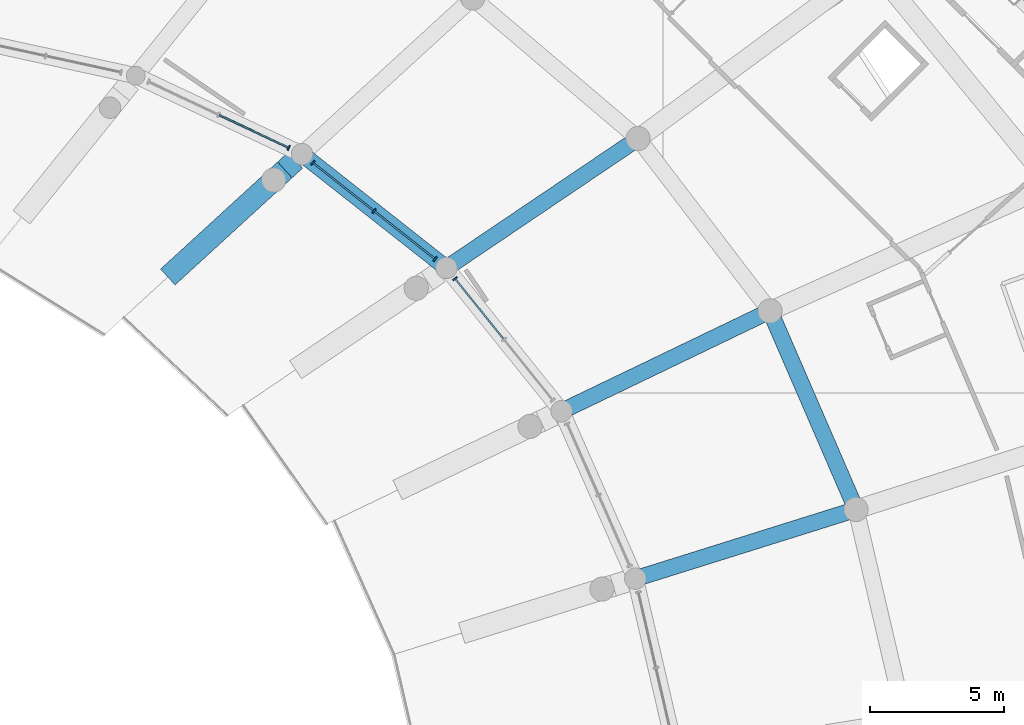
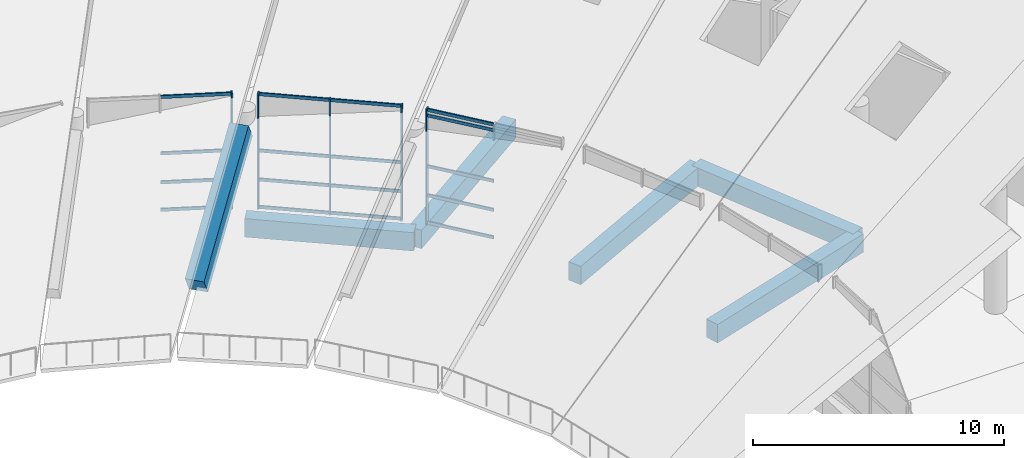
# One storey, part 79 of 249: 22 members, 6 beams, 3 elements without a shape of their own.
"""IFC4 building model written with IfcOpenShell, lengths in metres."""

from ifc_helpers import new_model, si_unit, direction, frame, origin, origin_2d, place, context, subcontext, project, spatial, rectangle, extrude, material, layer, layer_set, material_profile, profile_set, type_object, element, aggregate, save


model = new_model("IFC4")

# Units and contexts
model_context = context("Model", 3, precision=1e-05, world=origin(), true_north=direction((0.0, 1.0)))
body_context = subcontext(model_context, "Body", "Model", "MODEL_VIEW")
ifc_project = project(units=[si_unit("LENGTHUNIT", "METRE"), si_unit("AREAUNIT", "SQUARE_METRE"), si_unit("VOLUMEUNIT", "CUBIC_METRE"), si_unit("PLANEANGLEUNIT", "RADIAN"), si_unit("MASSUNIT", "GRAM", prefix="KILO")], contexts=[model_context])

# Site, building, storey
site_placement = place(None, origin())
site = spatial("IfcSite", under=ifc_project, at=site_placement, CompositionType="ELEMENT")
building_placement = place(site_placement, origin())
building = spatial("IfcBuilding", under=site, at=building_placement, Name="Meseta Stadium", CompositionType="ELEMENT")
storey_placement = place(building_placement, frame((0.0, 0.0, 12.0)))
storey = spatial("IfcBuildingStorey", under=building, at=storey_placement, Name="L02", CompositionType="ELEMENT", Elevation=12.0)

# Curtain wall, member
ifc_material_1 = material(Name="Aluminium", Category="aluminium")
ifc_layer = layer(ifc_material_1, 0.199951171875)
ifc_layer_set = layer_set([ifc_layer], Name="Suite glazing curtain wall")
curtain_wall_type = type_object("IfcCurtainWallType", Name="Suite glazing curtain wall", PredefinedType="NOTDEFINED", material=ifc_layer_set)
curtain_wall_1_placement = place(storey_placement, origin())
curtain_wall_1 = element("IfcCurtainWall", 1, at=curtain_wall_1_placement, inside=storey, type_object=curtain_wall_type, Name="Suite glazing bay 11", PredefinedType="NOTDEFINED")
ifc_material_2 = material(Name="Aluminium", Category="aluminium")
ifc_material_profile_1 = material_profile(ifc_material_2, rectangle(XDim=0.199951171875, YDim=0.06005859375, at=origin_2d()), Name="CW 200x60")
ifc_profile_set_1 = profile_set([ifc_material_profile_1], Name="Aluminium")
member_type_1 = type_object("IfcMemberType", Name="CW mullion 60x200", PredefinedType="MULLION", material=ifc_profile_set_1)
member_1_placement = place(storey_placement, frame((56.26025390625, 68.260009765625, 0.0), z_axis=(0.0, 0.0, 1.0), x_axis=(-0.779453526357, -0.626460054791, 0.0)))
member_1 = element("IfcMember", 2, at=member_1_placement, type_object=member_type_1, Name="CWS mullion 3", PredefinedType="MULLION", context=body_context, shape_type="SweptSolid", body=[
    extrude(rectangle(XDim=0.199951171875, YDim=0.06005859375, at=origin_2d()), origin(), (0.0, 0.0, 1.0), 5.64990234375),
])

# Curtain wall, members
curtain_wall_2_placement = place(storey_placement, origin())
curtain_wall_2 = element("IfcCurtainWall", 3, at=curtain_wall_2_placement, inside=storey, type_object=curtain_wall_type, Name="Suite glazing bay 12", PredefinedType="NOTDEFINED")
member_2_placement = place(storey_placement, frame((55.521728515625, 68.98779296875, 0.0), z_axis=(0.0, 0.0, 1.0), x_axis=(-0.61894425509, -0.785434917158, 0.0)))
member_2 = element("IfcMember", 4, at=member_2_placement, type_object=member_type_1, Name="CWS mullion 1", PredefinedType="MULLION", context=body_context, shape_type="SweptSolid", body=[
    extrude(rectangle(XDim=0.199951171875, YDim=0.06005859375, at=origin_2d()), origin(), (0.0, 0.0, 1.0), 5.64990234375),
])
member_3_placement = place(storey_placement, frame((53.2490234375, 70.77880859375, 0.0), z_axis=(0.0, 0.0, 1.0), x_axis=(-0.61894425509, -0.785434917158, 0.0)))
member_3 = element("IfcMember", 5, at=member_3_placement, type_object=member_type_1, Name="CWS mullion 2", PredefinedType="MULLION", context=body_context, shape_type="SweptSolid", body=[
    extrude(rectangle(XDim=0.199951171875, YDim=0.06005859375, at=origin_2d()), origin(), (0.0, 0.0, 1.0), 5.64990234375),
])
member_4_placement = place(storey_placement, frame((50.976318359375, 72.56982421875, 0.0), z_axis=(0.0, 0.0, 1.0), x_axis=(-0.61894425509, -0.785434917158, 0.0)))
member_4 = element("IfcMember", 6, at=member_4_placement, type_object=member_type_1, Name="CWS mullion 3", PredefinedType="MULLION", context=body_context, shape_type="SweptSolid", body=[
    extrude(rectangle(XDim=0.199951171875, YDim=0.06005859375, at=origin_2d()), origin(), (0.0, 0.0, 1.0), 5.64990234375),
])

# Curtain wall, member
curtain_wall_3_placement = place(storey_placement, origin())
curtain_wall_3 = element("IfcCurtainWall", 7, at=curtain_wall_3_placement, inside=storey, type_object=curtain_wall_type, Name="Suite glazing bay 13", PredefinedType="NOTDEFINED")
member_5_placement = place(storey_placement, frame((50.076416015625, 73.12255859375, 0.0), z_axis=(0.0, 0.0, 1.0), x_axis=(-0.426837356076, -0.904328409074, 0.0)))
member_5 = element("IfcMember", 8, at=member_5_placement, type_object=member_type_1, Name="CWS mullion 1", PredefinedType="MULLION", context=body_context, shape_type="SweptSolid", body=[
    extrude(rectangle(XDim=0.199951171875, YDim=0.06005859375, at=origin_2d()), origin(), (0.0, 0.0, 1.0), 5.64990234375),
])

# Member
ifc_material_3 = material(Name="Aluminium", Category="aluminium")
ifc_material_profile_2 = material_profile(ifc_material_3, rectangle(XDim=0.06005859375, YDim=0.14990234375, at=origin_2d()), Name="CW 60x150")
ifc_profile_set_2 = profile_set([ifc_material_profile_2], Name="Aluminium")
member_type_2 = type_object("IfcMemberType", Name="CW transom 60x150", PredefinedType="USERDEFINED", material=ifc_profile_set_2)
member_6_placement = place(storey_placement, frame((58.058837890625, 66.02197265625, 0.074951171875), z_axis=(-0.626391108316, 0.779508934793, 0.0), x_axis=(-0.779508934793, -0.626391108316, 0.0)))
member_6 = element("IfcMember", 9, at=member_6_placement, type_object=member_type_2, Name="CWS transom 2.1", ObjectType="TRANSOM", PredefinedType="USERDEFINED", context=body_context, shape_type="SweptSolid", body=[
    extrude(rectangle(XDim=0.06005859375, YDim=0.14990234375, at=origin_2d()), origin(), (0.0, 0.0, 1.0), 2.84130859375),
])

member_7_placement = place(storey_placement, frame((58.058837890625, 66.02197265625, 1.41259765625), z_axis=(-0.626391108316, 0.779508934793, 0.0), x_axis=(-0.779508934793, -0.626391108316, 0.0)))
member_7 = element("IfcMember", 10, at=member_7_placement, type_object=member_type_2, Name="CWS transom 2.2", ObjectType="TRANSOM", PredefinedType="USERDEFINED", context=body_context, shape_type="SweptSolid", body=[
    extrude(rectangle(XDim=0.06005859375, YDim=0.14990234375, at=origin_2d()), origin(), (0.0, 0.0, 1.0), 2.84130859375),
])

member_8_placement = place(storey_placement, frame((58.058837890625, 66.02197265625, 2.824951171875), z_axis=(-0.626391108316, 0.779508934793, 0.0), x_axis=(-0.779508934793, -0.626391108316, 0.0)))
member_8 = element("IfcMember", 11, at=member_8_placement, type_object=member_type_2, Name="CWS transom 2.3", ObjectType="TRANSOM", PredefinedType="USERDEFINED", context=body_context, shape_type="SweptSolid", body=[
    extrude(rectangle(XDim=0.06005859375, YDim=0.14990234375, at=origin_2d()), origin(), (0.0, 0.0, 1.0), 2.84130859375),
])

member_9_placement = place(storey_placement, frame((58.058837890625, 66.02197265625, 5.307373046875), z_axis=(-0.626391108316, 0.779508934793, 0.0), x_axis=(-0.779508934793, -0.626391108316, 0.0)))
member_9 = element("IfcMember", 12, at=member_9_placement, type_object=member_type_2, Name="CWS transom 2.4", ObjectType="TRANSOM", PredefinedType="USERDEFINED", context=body_context, shape_type="SweptSolid", body=[
    extrude(rectangle(XDim=0.06005859375, YDim=0.14990234375, at=origin_2d()), origin(), (0.0, 0.0, 1.0), 2.84130859375),
])

member_10_placement = place(storey_placement, frame((58.058837890625, 66.02197265625, 5.574951171875), z_axis=(-0.626391108316, 0.779508934793, 0.0), x_axis=(-0.779508934793, -0.626391108316, 0.0)))
member_10 = element("IfcMember", 13, at=member_10_placement, type_object=member_type_2, Name="CWS transom 2.5", ObjectType="TRANSOM", PredefinedType="USERDEFINED", context=body_context, shape_type="SweptSolid", body=[
    extrude(rectangle(XDim=0.06005859375, YDim=0.14990234375, at=origin_2d()), origin(), (0.0, 0.0, 1.0), 2.84130859375),
])

aggregate(curtain_wall_1, [member_1, member_6, member_7, member_8, member_9, member_10])

member_11_placement = place(storey_placement, frame((55.498291015625, 69.00634765625, 0.074951171875), z_axis=(-0.785420592413, 0.618962432635, 0.0), x_axis=(-0.618962432635, -0.785420592413, 0.0)))
member_11 = element("IfcMember", 14, at=member_11_placement, type_object=member_type_2, Name="CWS transom 1.1", ObjectType="TRANSOM", PredefinedType="USERDEFINED", context=body_context, shape_type="SweptSolid", body=[
    extrude(rectangle(XDim=0.06005859375, YDim=0.14990234375, at=origin_2d()), origin(), (0.0, 0.0, 1.0), 2.833740234375),
])

member_12_placement = place(storey_placement, frame((55.498291015625, 69.00634765625, 1.41259765625), z_axis=(-0.785420592413, 0.618962432635, 0.0), x_axis=(-0.618962432635, -0.785420592413, 0.0)))
member_12 = element("IfcMember", 15, at=member_12_placement, type_object=member_type_2, Name="CWS transom 1.2", ObjectType="TRANSOM", PredefinedType="USERDEFINED", context=body_context, shape_type="SweptSolid", body=[
    extrude(rectangle(XDim=0.06005859375, YDim=0.14990234375, at=origin_2d()), origin(), (0.0, 0.0, 1.0), 2.833740234375),
])

member_13_placement = place(storey_placement, frame((55.498291015625, 69.00634765625, 2.824951171875), z_axis=(-0.785420592413, 0.618962432635, 0.0), x_axis=(-0.618962432635, -0.785420592413, 0.0)))
member_13 = element("IfcMember", 16, at=member_13_placement, type_object=member_type_2, Name="CWS transom 1.3", ObjectType="TRANSOM", PredefinedType="USERDEFINED", context=body_context, shape_type="SweptSolid", body=[
    extrude(rectangle(XDim=0.06005859375, YDim=0.14990234375, at=origin_2d()), origin(), (0.0, 0.0, 1.0), 2.833740234375),
])

member_14_placement = place(storey_placement, frame((55.498291015625, 69.00634765625, 5.574951171875), z_axis=(-0.785420592413, 0.618962432635, 0.0), x_axis=(-0.618962432635, -0.785420592413, 0.0)))
member_14 = element("IfcMember", 17, at=member_14_placement, type_object=member_type_2, Name="CWS transom 1.4", ObjectType="TRANSOM", PredefinedType="USERDEFINED", context=body_context, shape_type="SweptSolid", body=[
    extrude(rectangle(XDim=0.06005859375, YDim=0.14990234375, at=origin_2d()), origin(), (0.0, 0.0, 1.0), 2.833740234375),
])

member_15_placement = place(storey_placement, frame((53.2255859375, 70.79736328125, 0.074951171875), z_axis=(-0.785420592413, 0.618962432635, 0.0), x_axis=(-0.618962432635, -0.785420592413, 0.0)))
member_15 = element("IfcMember", 18, at=member_15_placement, type_object=member_type_2, Name="CWS transom 2.1", ObjectType="TRANSOM", PredefinedType="USERDEFINED", context=body_context, shape_type="SweptSolid", body=[
    extrude(rectangle(XDim=0.06005859375, YDim=0.14990234375, at=origin_2d()), origin(), (0.0, 0.0, 1.0), 2.833740234375),
])

member_16_placement = place(storey_placement, frame((53.2255859375, 70.79736328125, 1.41259765625), z_axis=(-0.785420592413, 0.618962432635, 0.0), x_axis=(-0.618962432635, -0.785420592413, 0.0)))
member_16 = element("IfcMember", 19, at=member_16_placement, type_object=member_type_2, Name="CWS transom 2.2", ObjectType="TRANSOM", PredefinedType="USERDEFINED", context=body_context, shape_type="SweptSolid", body=[
    extrude(rectangle(XDim=0.06005859375, YDim=0.14990234375, at=origin_2d()), origin(), (0.0, 0.0, 1.0), 2.833740234375),
])

member_17_placement = place(storey_placement, frame((53.2255859375, 70.79736328125, 2.824951171875), z_axis=(-0.785420592413, 0.618962432635, 0.0), x_axis=(-0.618962432635, -0.785420592413, 0.0)))
member_17 = element("IfcMember", 20, at=member_17_placement, type_object=member_type_2, Name="CWS transom 2.3", ObjectType="TRANSOM", PredefinedType="USERDEFINED", context=body_context, shape_type="SweptSolid", body=[
    extrude(rectangle(XDim=0.06005859375, YDim=0.14990234375, at=origin_2d()), origin(), (0.0, 0.0, 1.0), 2.833740234375),
])

member_18_placement = place(storey_placement, frame((53.2255859375, 70.79736328125, 5.574951171875), z_axis=(-0.785420592413, 0.618962432635, 0.0), x_axis=(-0.618962432635, -0.785420592413, 0.0)))
member_18 = element("IfcMember", 21, at=member_18_placement, type_object=member_type_2, Name="CWS transom 2.4", ObjectType="TRANSOM", PredefinedType="USERDEFINED", context=body_context, shape_type="SweptSolid", body=[
    extrude(rectangle(XDim=0.06005859375, YDim=0.14990234375, at=origin_2d()), origin(), (0.0, 0.0, 1.0), 2.833740234375),
])

aggregate(curtain_wall_2, [member_2, member_3, member_4, member_11, member_12, member_13, member_14, member_15, member_16, member_17, member_18])

member_19_placement = place(storey_placement, frame((50.04931640625, 73.13525390625, 0.074951171875), z_axis=(-0.904318213738, 0.426858955982, 0.0), x_axis=(-0.426858955982, -0.904318213738, 0.0)))
member_19 = element("IfcMember", 22, at=member_19_placement, type_object=member_type_2, Name="CWS transom 1.1", ObjectType="TRANSOM", PredefinedType="USERDEFINED", context=body_context, shape_type="SweptSolid", body=[
    extrude(rectangle(XDim=0.06005859375, YDim=0.14990234375, at=origin_2d()), origin(), (0.0, 0.0, 1.0), 2.822509765625),
])

member_20_placement = place(storey_placement, frame((50.04931640625, 73.13525390625, 1.41259765625), z_axis=(-0.904318213738, 0.426858955982, 0.0), x_axis=(-0.426858955982, -0.904318213738, 0.0)))
member_20 = element("IfcMember", 23, at=member_20_placement, type_object=member_type_2, Name="CWS transom 1.2", ObjectType="TRANSOM", PredefinedType="USERDEFINED", context=body_context, shape_type="SweptSolid", body=[
    extrude(rectangle(XDim=0.06005859375, YDim=0.14990234375, at=origin_2d()), origin(), (0.0, 0.0, 1.0), 2.822509765625),
])

member_21_placement = place(storey_placement, frame((50.04931640625, 73.13525390625, 2.824951171875), z_axis=(-0.904318213738, 0.426858955982, 0.0), x_axis=(-0.426858955982, -0.904318213738, 0.0)))
member_21 = element("IfcMember", 24, at=member_21_placement, type_object=member_type_2, Name="CWS transom 1.3", ObjectType="TRANSOM", PredefinedType="USERDEFINED", context=body_context, shape_type="SweptSolid", body=[
    extrude(rectangle(XDim=0.06005859375, YDim=0.14990234375, at=origin_2d()), origin(), (0.0, 0.0, 1.0), 2.822509765625),
])

member_22_placement = place(storey_placement, frame((50.04931640625, 73.13525390625, 5.574951171875), z_axis=(-0.904318213738, 0.426858955982, 0.0), x_axis=(-0.426858955982, -0.904318213738, 0.0)))
member_22 = element("IfcMember", 25, at=member_22_placement, type_object=member_type_2, Name="CWS transom 1.4", ObjectType="TRANSOM", PredefinedType="USERDEFINED", context=body_context, shape_type="SweptSolid", body=[
    extrude(rectangle(XDim=0.06005859375, YDim=0.14990234375, at=origin_2d()), origin(), (0.0, 0.0, 1.0), 2.822509765625),
])

aggregate(curtain_wall_3, [member_5, member_19, member_20, member_21, member_22])

# Beams
ifc_material_4 = material(Name="Concrete C40/50", Category="concrete")
ifc_material_profile_3 = material_profile(ifc_material_4, rectangle(XDim=0.60009765625, YDim=0.89990234375, at=origin_2d()), Name="RC 600x900")
ifc_profile_set_3 = profile_set([ifc_material_profile_3], Name="Concrete C40/50")
beam_type_1 = type_object("IfcBeamType", Name="RC beam 600x900", PredefinedType="BEAM", material=ifc_profile_set_3)
beam_1_placement = place(storey_placement, frame((71.169677734375, 59.67724609375, -0.800048828125), z_axis=(-0.397502661884, 0.91760102103, 0.0), x_axis=(-0.91760102103, -0.397502661884, 0.0)))
element("IfcBeam", 26, at=beam_1_placement, inside=storey, type_object=beam_type_1, Name="L02 ring beam frame 10 line E", PredefinedType="BEAM", context=body_context, shape_type="SweptSolid", body=[
    extrude(rectangle(XDim=0.60009765625, YDim=0.89990234375, at=origin_2d()), origin(), (0.0, 0.0, 1.0), 8.04345703125),
])
beam_2_placement = place(storey_placement, frame((55.940185546875, 68.658203125, -0.800048828125), z_axis=(-0.785430108596, 0.618950357065, 0.0), x_axis=(-0.618950357065, -0.785430108596, 0.0)))
element("IfcBeam", 27, at=beam_2_placement, inside=storey, type_object=beam_type_1, Name="L02 ring beam frame 12 line D", PredefinedType="BEAM", context=body_context, shape_type="SweptSolid", body=[
    extrude(rectangle(XDim=0.60009765625, YDim=0.89990234375, at=origin_2d()), origin(), (0.0, 0.0, 1.0), 6.835205078125),
])
for number, where, z_axis, x_axis, name in (
    (28, (62.963623046875, 57.1044921875, -0.800048828125), (0.9542027514, 0.299160674588, 0.0), (-0.299160674588, 0.9542027514, 0.0), "L02 radial beam frame 10 line D to E"),
    (29, (60.22216796875, 63.33056640625, -0.800048828125), (0.901197200503, 0.433409282094, 0.0), (-0.433409282094, 0.901197200503, 0.0), "L02 radial beam frame 11 line D to E"),
):
    element("IfcBeam", number, at=place(storey_placement, frame(where, z_axis=z_axis, x_axis=x_axis)), inside=storey, type_object=beam_type_1, Name=name, PredefinedType="BEAM", context=body_context, shape_type="SweptSolid", body=[
        extrude(rectangle(XDim=0.60009765625, YDim=0.89990234375, at=origin_2d()), origin(), (0.0, 0.0, 1.0), 8.599853515625),
    ])
beam_3_placement = place(storey_placement, frame((55.940185546875, 68.658203125, -0.800048828125), z_axis=(0.828826294275, 0.559506008832, 0.0), x_axis=(-0.559506008832, 0.828826294275, 0.0)))
element("IfcBeam", 30, at=beam_3_placement, inside=storey, type_object=beam_type_1, Name="L02 radial beam frame 12 line D to E", PredefinedType="BEAM", context=body_context, shape_type="SweptSolid", body=[
    extrude(rectangle(XDim=0.60009765625, YDim=0.89990234375, at=origin_2d()), origin(), (0.0, 0.0, 1.0), 8.60009765625),
])
ifc_material_5 = material(Name="Concrete C40/50", Category="concrete")
ifc_material_profile_4 = material_profile(ifc_material_5, rectangle(XDim=0.800048828125, YDim=1.0, at=origin_2d()), Name="RC 800x1000")
ifc_profile_set_4 = profile_set([ifc_material_profile_4], Name="Concrete C40/50")
beam_type_2 = type_object("IfcBeamType", Name="RC raker upper front 800x1000", PredefinedType="USERDEFINED", material=ifc_profile_set_4)
beam_4_placement = place(storey_placement, frame((45.777099609375, 68.499755859375, 0.52880859375), z_axis=(0.625958337263, 0.573037203223, 0.528965522254), x_axis=(-0.675239164707, 0.737598854694, 0.0)))
element("IfcBeam", 31, at=beam_4_placement, inside=storey, type_object=beam_type_2, Name="Raker upper front frame 13 upper tier", ObjectType="RAKER", PredefinedType="USERDEFINED", context=body_context, shape_type="SweptSolid", body=[
    extrude(rectangle(XDim=0.800048828125, YDim=1.0, at=origin_2d()), origin(), (0.0, 0.0, 1.0), 6.9521484375),
])

save(model, "model.ifc")
